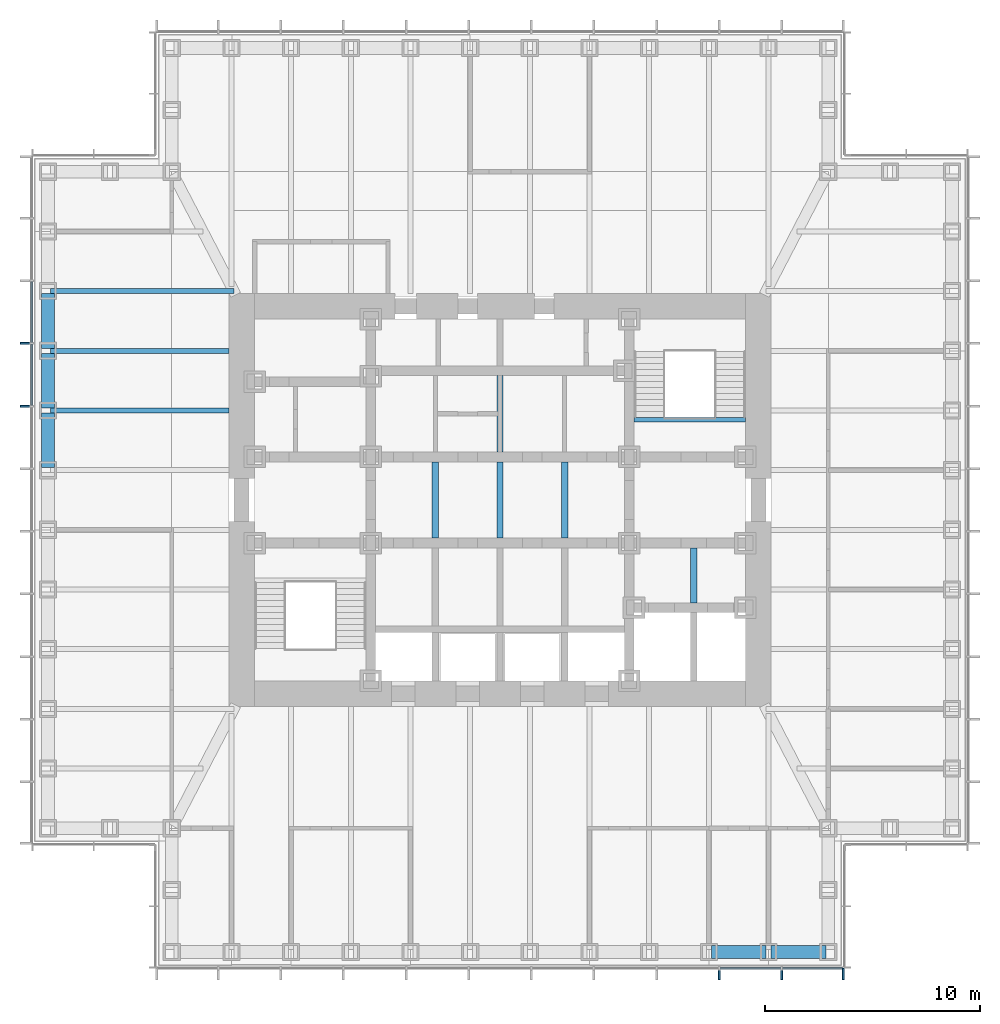
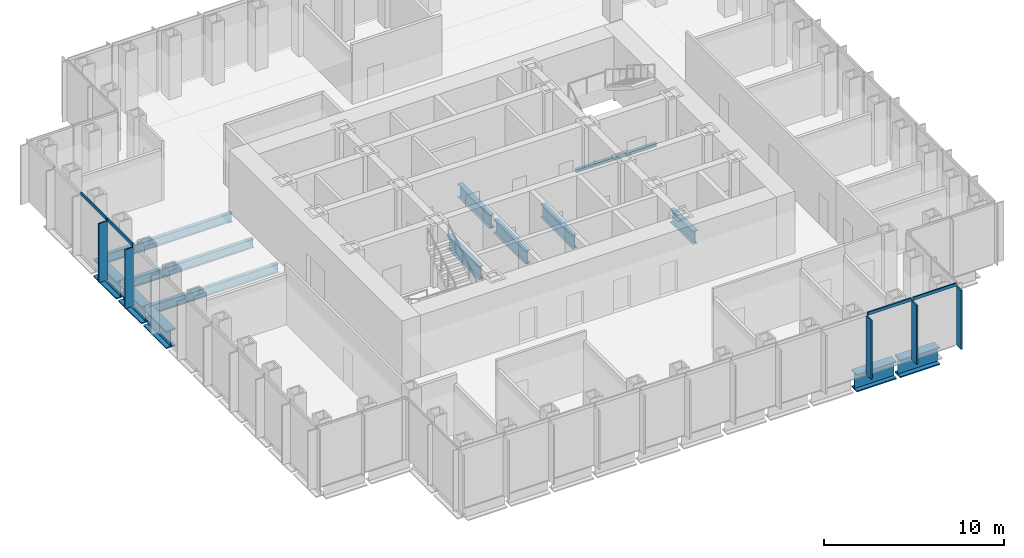
# One storey, part 3 of 16: 14 beams, 9 members, 2 elements without a shape of their own.
"""IFC4 building model written with IfcOpenShell, lengths in metres."""

from ifc_helpers import new_model, si_unit, direction, frame, origin, origin_2d, place, context, subcontext, project, spatial, rectangle, i_section, extrude, material, material_profile, profile_set, type_object, element, aggregate, save


model = new_model("IFC4")

# Units and contexts
model_context = context("Model", 3, precision=1e-05, world=origin(), true_north=direction((0.0, 1.0)))
body_context = subcontext(model_context, "Body", "Model", "MODEL_VIEW")
ifc_project = project(units=[si_unit("LENGTHUNIT", "METRE"), si_unit("AREAUNIT", "SQUARE_METRE"), si_unit("VOLUMEUNIT", "CUBIC_METRE"), si_unit("PLANEANGLEUNIT", "RADIAN"), si_unit("MASSUNIT", "GRAM", prefix="KILO")], contexts=[model_context])

# Site, building, storey
site_placement = place(None, origin())
site = spatial("IfcSite", under=ifc_project, at=site_placement, CompositionType="ELEMENT")
building_placement = place(site_placement, origin())
building = spatial("IfcBuilding", under=site, at=building_placement, Name="Daluyong Arena Tower", CompositionType="ELEMENT")
storey_placement = place(building_placement, frame((0.0, 0.0, 271.300048828125)))
storey = spatial("IfcBuildingStorey", under=building, at=storey_placement, Name="L61", CompositionType="ELEMENT", Elevation=271.300048828125)

# Curtain wall, members
ifc_material_1 = material(Name="Bronze anodised aluminium and glass", Category="aluminium")
curtain_wall_type = type_object("IfcCurtainWallType", Name="Curtain wall CW4", PredefinedType="USERDEFINED", material=ifc_material_1)
curtain_wall_1_placement = place(storey_placement, origin())
curtain_wall_1 = element("IfcCurtainWall", 1, at=curtain_wall_1_placement, inside=storey, type_object=curtain_wall_type, Name="curtain wall L61 S", ObjectType="UNITISED CURTAIN WALL", PredefinedType="USERDEFINED")
ifc_material_2 = material(Name="Bronze anodised aluminium fin", Category="aluminium")
ifc_material_profile_1 = material_profile(ifc_material_2, rectangle(XDim=0.550048828125, YDim=0.090087890625, at=origin_2d()))
ifc_profile_set_1 = profile_set([ifc_material_profile_1], Name="Bronze anodised aluminium fin")
member_type_1 = type_object("IfcMemberType", Name="CW4 bronze fin 550x90", PredefinedType="MULLION", material=ifc_profile_set_1)
member_1_placement = place(storey_placement, frame((66.181884765625, 57.97509765625, 0.0), z_axis=(0.0, 0.0, 1.0), x_axis=(0.0, 1.0, 0.0)))
member_1 = element("IfcMember", 2, at=member_1_placement, type_object=member_type_1, Name="curtain wall L61 S fin 10", PredefinedType="MULLION", context=body_context, shape_type="SweptSolid", body=[
    extrude(rectangle(XDim=0.550048828125, YDim=0.090087890625, at=origin_2d()), origin(), (0.0, 0.0, 1.0), 4.0),
])
member_2_placement = place(storey_placement, frame((69.0908203125, 57.97509765625, 0.0), z_axis=(0.0, 0.0, 1.0), x_axis=(0.0, 1.0, 0.0)))
member_2 = element("IfcMember", 3, at=member_2_placement, type_object=member_type_1, Name="curtain wall L61 S fin 11", PredefinedType="MULLION", context=body_context, shape_type="SweptSolid", body=[
    extrude(rectangle(XDim=0.550048828125, YDim=0.090087890625, at=origin_2d()), origin(), (0.0, 0.0, 1.0), 4.0),
])
member_3_placement = place(storey_placement, frame((71.955078125, 57.97509765625, 0.0), z_axis=(0.0, 0.0, 1.0), x_axis=(0.0, 1.0, 0.0)))
member_3 = element("IfcMember", 4, at=member_3_placement, type_object=member_type_1, Name="curtain wall L61 S fin 12", PredefinedType="MULLION", context=body_context, shape_type="SweptSolid", body=[
    extrude(rectangle(XDim=0.550048828125, YDim=0.090087890625, at=origin_2d()), origin(), (0.0, 0.0, 1.0), 4.0),
])

curtain_wall_2_placement = place(storey_placement, origin())
curtain_wall_2 = element("IfcCurtainWall", 5, at=curtain_wall_2_placement, inside=storey, type_object=curtain_wall_type, Name="curtain wall L61 W", ObjectType="UNITISED CURTAIN WALL", PredefinedType="USERDEFINED")
member_4_placement = place(storey_placement, frame((33.97509765625, 87.272705078125, 0.0), z_axis=(0.0, 0.0, 1.0), x_axis=(1.0, 0.0, 0.0)))
member_4 = element("IfcMember", 6, at=member_4_placement, type_object=member_type_1, Name="curtain wall L61 W fin 4", PredefinedType="MULLION", context=body_context, shape_type="SweptSolid", body=[
    extrude(rectangle(XDim=0.550048828125, YDim=0.090087890625, at=origin_2d()), origin(), (0.0, 0.0, 1.0), 4.0),
])
member_5_placement = place(storey_placement, frame((33.97509765625, 84.363525390625, 0.0), z_axis=(0.0, 0.0, 1.0), x_axis=(1.0, 0.0, 0.0)))
member_5 = element("IfcMember", 7, at=member_5_placement, type_object=member_type_1, Name="curtain wall L61 W fin 5", PredefinedType="MULLION", context=body_context, shape_type="SweptSolid", body=[
    extrude(rectangle(XDim=0.550048828125, YDim=0.090087890625, at=origin_2d()), origin(), (0.0, 0.0, 1.0), 4.0),
])

# Member
ifc_material_3 = material(Name="Bronze anodised aluminium", Category="aluminium")
ifc_material_profile_2 = material_profile(ifc_material_3, rectangle(XDim=0.090087890625, YDim=0.199951171875, at=origin_2d()))
ifc_profile_set_2 = profile_set([ifc_material_profile_2], Name="Bronze anodised aluminium")
member_type_2 = type_object("IfcMemberType", Name="CW4 stack transom 200x90", PredefinedType="USERDEFINED", material=ifc_profile_set_2)
member_6_placement = place(storey_placement, frame((66.226806640625, 58.25, 4.099853515625), z_axis=(1.0, 0.0, 0.0), x_axis=(0.0, 1.0, 0.0)))
member_6 = element("IfcMember", 8, at=member_6_placement, type_object=member_type_2, Name="curtain wall L61 S transom 10", ObjectType="TRANSOM", PredefinedType="USERDEFINED", context=body_context, shape_type="SweptSolid", body=[
    extrude(rectangle(XDim=0.090087890625, YDim=0.199951171875, at=origin_2d()), origin(), (0.0, 0.0, 1.0), 2.819091796875),
])

member_7_placement = place(storey_placement, frame((69.135986328125, 58.25, 4.099853515625), z_axis=(1.0, 0.0, 0.0), x_axis=(0.0, 1.0, 0.0)))
member_7 = element("IfcMember", 9, at=member_7_placement, type_object=member_type_2, Name="curtain wall L61 S transom 11", ObjectType="TRANSOM", PredefinedType="USERDEFINED", context=body_context, shape_type="SweptSolid", body=[
    extrude(rectangle(XDim=0.090087890625, YDim=0.199951171875, at=origin_2d()), origin(), (0.0, 0.0, 1.0), 2.77392578125),
])

aggregate(curtain_wall_1, [member_1, member_2, member_3, member_6, member_7])

member_8_placement = place(storey_placement, frame((34.25, 90.13671875, 4.099853515625), z_axis=(0.0, -1.0, 0.0), x_axis=(1.0, 0.0, 0.0)))
member_8 = element("IfcMember", 10, at=member_8_placement, type_object=member_type_2, Name="curtain wall L61 W transom 3", ObjectType="TRANSOM", PredefinedType="USERDEFINED", context=body_context, shape_type="SweptSolid", body=[
    extrude(rectangle(XDim=0.090087890625, YDim=0.199951171875, at=origin_2d()), origin(), (0.0, 0.0, 1.0), 2.819091796875),
])

member_9_placement = place(storey_placement, frame((34.25, 87.227783203125, 4.099853515625), z_axis=(0.0, -1.0, 0.0), x_axis=(1.0, 0.0, 0.0)))
member_9 = element("IfcMember", 11, at=member_9_placement, type_object=member_type_2, Name="curtain wall L61 W transom 4", ObjectType="TRANSOM", PredefinedType="USERDEFINED", context=body_context, shape_type="SweptSolid", body=[
    extrude(rectangle(XDim=0.090087890625, YDim=0.199951171875, at=origin_2d()), origin(), (0.0, 0.0, 1.0), 2.819091796875),
])

aggregate(curtain_wall_2, [member_4, member_5, member_8, member_9])

# Beams
ifc_material_4 = material(Name="Steel ASTM A992 Grade 50", Category="steel")
ifc_material_profile_3 = material_profile(ifc_material_4, i_section(OverallWidth=0.22900390625, OverallDepth=0.612060546875, WebThickness=0.011962890625, FlangeThickness=0.01953125, at=origin_2d()))
ifc_profile_set_3 = profile_set([ifc_material_profile_3], Name="Steel ASTM A992 Grade 50")
beam_type_1 = type_object("IfcBeamType", Name="Floor beam W24X84", PredefinedType="BEAM", material=ifc_profile_set_3)
beam_1_placement = place(storey_placement, frame((35.114990234375, 89.70458984375, -0.466064453125), z_axis=(1.0, 0.0, 0.0), x_axis=(0.0, 1.0, 0.0)))
element("IfcBeam", 12, at=beam_1_placement, inside=storey, type_object=beam_type_1, Name="floor beam FB3", PredefinedType="BEAM", context=body_context, shape_type="SweptSolid", body=[
    extrude(i_section(OverallWidth=0.22900390625, OverallDepth=0.612060546875, WebThickness=0.011962890625, FlangeThickness=0.01953125, at=origin_2d()), origin(), (0.0, 0.0, 1.0), 8.5185546875),
])
for number, where, z_axis, x_axis, name in (
    (13, (35.114990234375, 86.931884765625, -0.466064453125), (1.0, 0.0, 0.0), (0.0, 1.0, 0.0), "floor beam FB3"),
    (14, (35.114990234375, 84.1591796875, -0.466064453125), (1.0, 0.0, 0.0), (0.0, 1.0, 0.0), "floor beam FB3"),
):
    element("IfcBeam", number, at=place(storey_placement, frame(where, z_axis=z_axis, x_axis=x_axis)), inside=storey, type_object=beam_type_1, Name=name, PredefinedType="BEAM", context=body_context, shape_type="SweptSolid", body=[
        extrude(i_section(OverallWidth=0.22900390625, OverallDepth=0.612060546875, WebThickness=0.011962890625, FlangeThickness=0.01953125, at=origin_2d()), origin(), (0.0, 0.0, 1.0), 8.284912109375),
    ])
ifc_material_5 = material(Name="Steel ASTM A572 Grade 50", Category="steel")
ifc_material_profile_4 = material_profile(ifc_material_5, i_section(OverallWidth=0.300048828125, OverallDepth=0.89990234375, WebThickness=0.025, FlangeThickness=0.04, at=origin_2d()))
ifc_profile_set_4 = profile_set([ifc_material_profile_4], Name="Steel ASTM A572 Grade 50")
beam_type_2 = type_object("IfcBeamType", Name="Lift divider beam PG900X300", PredefinedType="BEAM", material=ifc_profile_set_4)
for number, where, z_axis, x_axis, name in (
    (15, (53.0, 78.22509765625, -0.610107421875), (0.0, 1.0, 0.0), (-1.0, 0.0, 0.0), "lift divider beam DB1"),
    (16, (56.0, 78.22509765625, -0.610107421875), (0.0, 1.0, 0.0), (-1.0, 0.0, 0.0), "lift divider beam DB1"),
    (17, (56.0, 82.22509765625, -0.610107421875), (0.0, 1.0, 0.0), (-1.0, 0.0, 0.0), "lift divider beam DB1"),
    (18, (59.0, 78.22509765625, -0.610107421875), (0.0, 1.0, 0.0), (-1.0, 0.0, 0.0), "lift divider beam DB1"),
):
    element("IfcBeam", number, at=place(storey_placement, frame(where, z_axis=z_axis, x_axis=x_axis)), inside=storey, type_object=beam_type_2, Name=name, PredefinedType="BEAM", context=body_context, shape_type="SweptSolid", body=[
        extrude(i_section(OverallWidth=0.300048828125, OverallDepth=0.89990234375, WebThickness=0.025, FlangeThickness=0.04, at=origin_2d()), origin(), (0.0, 0.0, 1.0), 3.5498046875),
    ])
beam_2_placement = place(storey_placement, frame((65.0, 75.22509765625, -0.610107421875), z_axis=(0.0, 1.0, 0.0), x_axis=(-1.0, 0.0, 0.0)))
element("IfcBeam", 19, at=beam_2_placement, inside=storey, type_object=beam_type_2, Name="lift divider beam DB1", PredefinedType="BEAM", context=body_context, shape_type="SweptSolid", body=[
    extrude(i_section(OverallWidth=0.300048828125, OverallDepth=0.89990234375, WebThickness=0.025, FlangeThickness=0.04, at=origin_2d()), origin(), (0.0, 0.0, 1.0), 2.5498046875),
])
ifc_material_6 = material(Name="Steel ASTM A572 Grade 50", Category="steel")
ifc_material_profile_5 = material_profile(ifc_material_6, i_section(OverallWidth=0.60009765625, OverallDepth=1.199951171875, WebThickness=0.03, FlangeThickness=0.08, at=origin_2d()))
ifc_profile_set_5 = profile_set([ifc_material_profile_5], Name="Steel ASTM A572 Grade 50")
beam_type_3 = type_object("IfcBeamType", Name="Spandrel Z4 PG1200X600", PredefinedType="SPANDREL", material=ifc_profile_set_5)
for number, where, z_axis, x_axis, name in (
    (20, (65.819580078125, 59.0, -0.760009765625), (1.0, 0.0, 0.0), (0.0, 1.0, 0.0), "spandrel z4 SB9"),
    (21, (68.59228515625, 59.0, -0.760009765625), (1.0, 0.0, 0.0), (0.0, 1.0, 0.0), "spandrel z4 SB9"),
    (22, (35.0, 89.589599609375, -0.760009765625), (0.0, -1.0, 0.0), (1.0, 0.0, 0.0), "spandrel z4 SB9"),
    (23, (35.0, 86.81689453125, -0.760009765625), (0.0, -1.0, 0.0), (1.0, 0.0, 0.0), "spandrel z4 SB9"),
    (24, (35.0, 84.044189453125, -0.760009765625), (0.0, -1.0, 0.0), (1.0, 0.0, 0.0), "spandrel z4 SB9"),
):
    element("IfcBeam", number, at=place(storey_placement, frame(where, z_axis=z_axis, x_axis=x_axis)), inside=storey, type_object=beam_type_3, Name=name, PredefinedType="SPANDREL", context=body_context, shape_type="SweptSolid", body=[
        extrude(i_section(OverallWidth=0.60009765625, OverallDepth=1.199951171875, WebThickness=0.03, FlangeThickness=0.08, at=origin_2d()), origin(), (0.0, 0.0, 1.0), 2.542724609375),
    ])
ifc_material_7 = material(Name="Steel ASTM A992 Grade 50", Category="steel")
ifc_material_profile_6 = material_profile(ifc_material_7, i_section(OverallWidth=0.203125, OverallDepth=0.203125, WebThickness=0.00732421875, FlangeThickness=0.010986328125, at=origin_2d()))
ifc_profile_set_6 = profile_set([ifc_material_profile_6], Name="Steel ASTM A992 Grade 50")
beam_type_4 = type_object("IfcBeamType", Name="Stair landing beam W8X31", PredefinedType="BEAM", material=ifc_profile_set_6)
beam_3_placement = place(storey_placement, frame((62.22509765625, 83.723388671875, -0.26171875), z_axis=(1.0, 0.0, 0.0), x_axis=(0.0, 1.0, 0.0)))
element("IfcBeam", 25, at=beam_3_placement, inside=storey, type_object=beam_type_4, Name="exit stair B landing beam", PredefinedType="BEAM", context=body_context, shape_type="SweptSolid", body=[
    extrude(i_section(OverallWidth=0.203125, OverallDepth=0.203125, WebThickness=0.00732421875, FlangeThickness=0.010986328125, at=origin_2d()), origin(), (0.0, 0.0, 1.0), 5.1748046875),
])

save(model, "model.ifc")
